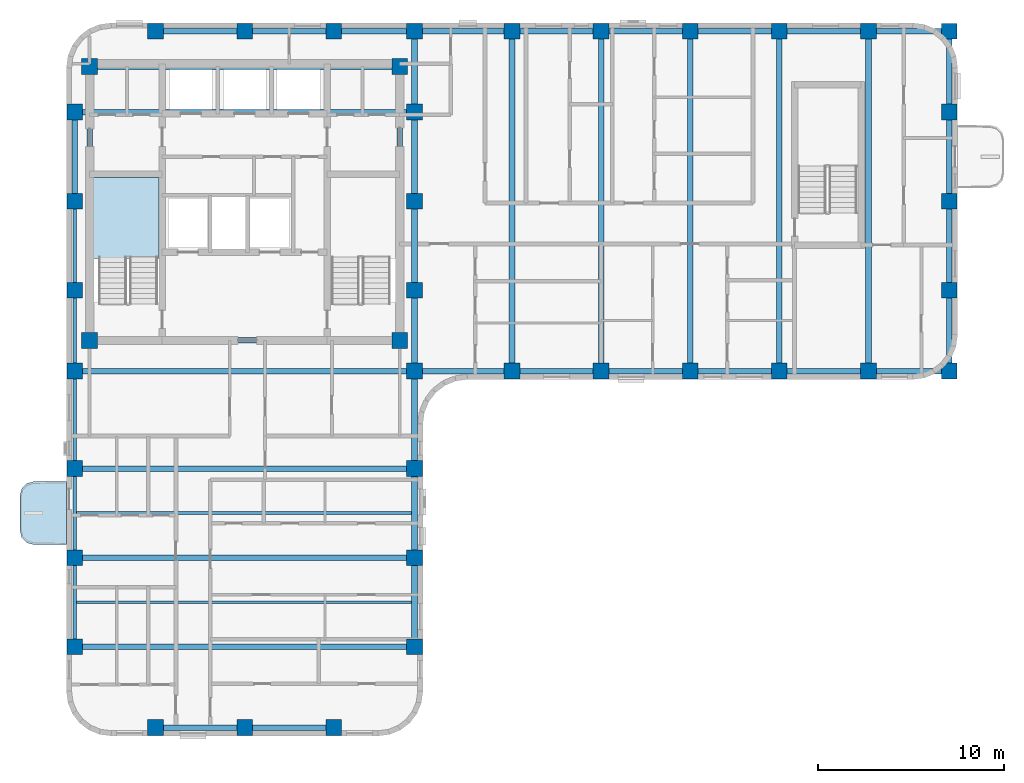
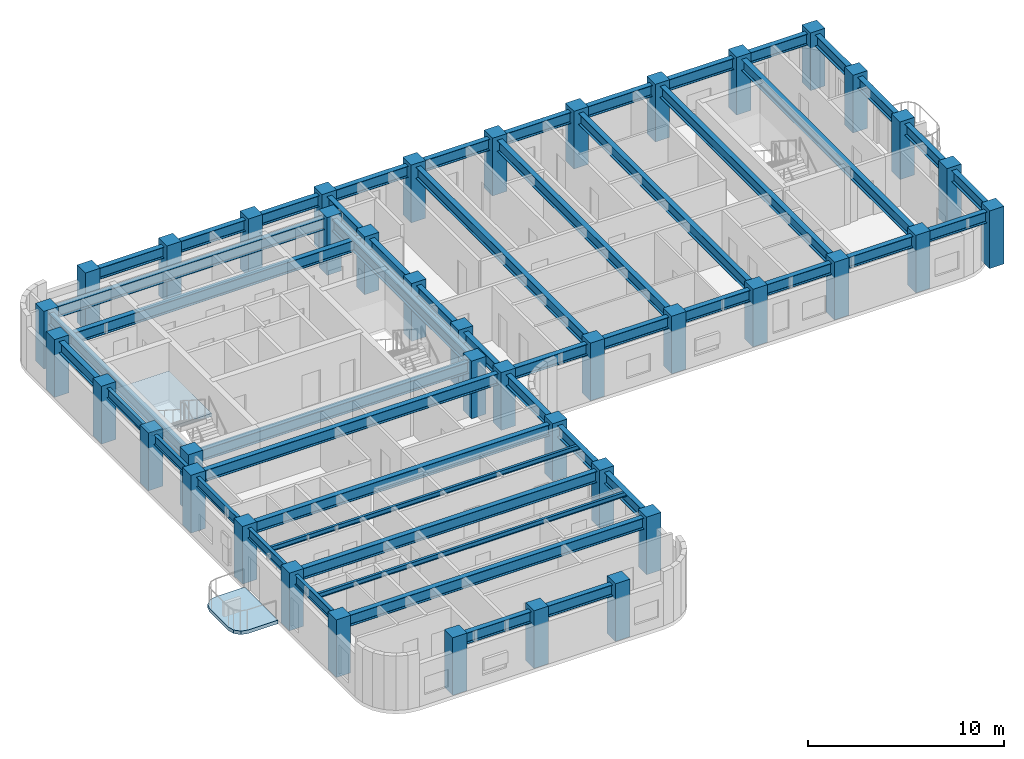
# One storey, part 1 of 10: 50 beams, 40 columns, 2 slabs, 1 element without a shape of its own.
"""IFC4 building model written with IfcOpenShell, lengths in metres."""

from ifc_helpers import new_model, si_unit, direction, frame, origin, origin_2d, place, context, subcontext, project, spatial, polyline, rectangle, i_section, outline, extrude, material, layer, layer_set, material_profile, profile_set, type_object, element, aggregate, save


model = new_model("IFC4")

# Units and contexts
model_context = context("Model", 3, precision=1e-05, world=origin(), true_north=direction((0.0, 1.0)))
body_context = subcontext(model_context, "Body", "Model", "MODEL_VIEW")
ifc_project = project(units=[si_unit("LENGTHUNIT", "METRE"), si_unit("AREAUNIT", "SQUARE_METRE"), si_unit("VOLUMEUNIT", "CUBIC_METRE"), si_unit("PLANEANGLEUNIT", "RADIAN"), si_unit("MASSUNIT", "GRAM", prefix="KILO")], contexts=[model_context])

# Site, building, storey
site_placement = place(None, origin())
site = spatial("IfcSite", under=ifc_project, at=site_placement, CompositionType="ELEMENT")
building_placement = place(site_placement, origin())
building = spatial("IfcBuilding", under=site, at=building_placement, Name="Orvandelia Arch Residences", CompositionType="ELEMENT")
storey_placement = place(building_placement, frame((0.0, 0.0, 218.199951171875)))
storey = spatial("IfcBuildingStorey", under=building, at=storey_placement, Name="L57", CompositionType="ELEMENT", Elevation=218.199951171875)

# Columns
ifc_material_1 = material(Name="Concrete C60/75", Category="concrete")
ifc_material_profile_1 = material_profile(ifc_material_1, rectangle(XDim=0.85009765625, YDim=0.85009765625, at=origin_2d()), Name="Concrete C60/75", Category="concrete")
ifc_profile_set_1 = profile_set([ifc_material_profile_1], Name="Concrete C60/75")
column_type = type_object("IfcColumnType", Name="COL-TWR-850", PredefinedType="COLUMN", material=ifc_profile_set_1)
for number, where, z_axis, x_axis, name in (
    (1, (5.25, 14.39990234375, 0.0), (0.0, 0.0, 1.0), (1.0, 0.0, 0.0), "Structural Column L57-W-W-144"),
    (2, (5.25, 19.199951171875, 0.0), (0.0, 0.0, 1.0), (1.0, 0.0, 0.0), "Structural Column L57-W-W-192"),
    (3, (5.25, 24.0, 0.0), (0.0, 0.0, 1.0), (1.0, 0.0, 0.0), "Structural Column L57-W-W-240"),
    (4, (5.25, 29.25, 0.0), (0.0, 0.0, 1.0), (1.0, 0.0, 0.0), "Structural Column L57-W-W-292"),
    (5, (5.25, 33.60009765625, 0.0), (0.0, 0.0, 1.0), (1.0, 0.0, 0.0), "Structural Column L57-W-W-336"),
    (6, (5.25, 38.39990234375, 0.0), (0.0, 0.0, 1.0), (1.0, 0.0, 0.0), "Structural Column L57-W-W-384"),
    (7, (5.25, 43.199951171875, 0.0), (0.0, 0.0, 1.0), (1.0, 0.0, 0.0), "Structural Column L57-W-W-432"),
    (8, (6.050048828125, 30.89990234375, 0.0), (0.0, 0.0, 1.0), (1.0, 0.0, 0.0), "Structural Column L57-CR-SW"),
    (9, (6.050048828125, 45.64990234375, 0.0), (0.0, 0.0, 1.0), (1.0, 0.0, 0.0), "Structural Column L57-CR-NW"),
    (10, (9.60009765625, 10.050048828125, 0.0), (0.0, 0.0, 1.0), (1.0, 0.0, 0.0), "Structural Column L57-W-S-96"),
    (11, (9.60009765625, 47.550048828125, 0.0), (0.0, 0.0, 1.0), (1.0, 0.0, 0.0), "Structural Column L57-W-N-96"),
    (12, (14.39990234375, 10.050048828125, 0.0), (0.0, 0.0, 1.0), (1.0, 0.0, 0.0), "Structural Column L57-W-S-144"),
    (13, (14.39990234375, 47.550048828125, 0.0), (0.0, 0.0, 1.0), (1.0, 0.0, 0.0), "Structural Column L57-W-N-144"),
    (14, (19.199951171875, 10.050048828125, 0.0), (0.0, 0.0, 1.0), (1.0, 0.0, 0.0), "Structural Column L57-W-S-192"),
    (15, (19.199951171875, 47.550048828125, 0.0), (0.0, 0.0, 1.0), (1.0, 0.0, 0.0), "Structural Column L57-W-N-192"),
    (16, (22.75, 30.89990234375, 0.0), (0.0, 0.0, 1.0), (1.0, 0.0, 0.0), "Structural Column L57-CR-SE"),
    (17, (22.75, 45.64990234375, 0.0), (0.0, 0.0, 1.0), (1.0, 0.0, 0.0), "Structural Column L57-CR-NE"),
    (18, (23.550048828125, 14.39990234375, 0.0), (0.0, 0.0, 1.0), (1.0, 0.0, 0.0), "Structural Column L57-W-E-144"),
    (19, (23.550048828125, 19.199951171875, 0.0), (0.0, 0.0, 1.0), (1.0, 0.0, 0.0), "Structural Column L57-W-E-192"),
    (20, (23.550048828125, 24.0, 0.0), (0.0, 0.0, 1.0), (1.0, 0.0, 0.0), "Structural Column L57-W-E-240"),
    (21, (23.550048828125, 29.25, 0.0), (0.0, 0.0, 1.0), (1.0, 0.0, 0.0), "Structural Column L57-W-E-292"),
    (22, (23.550048828125, 33.60009765625, 0.0), (0.0, 0.0, 1.0), (1.0, 0.0, 0.0), "Structural Column L57-W-E-336"),
    (23, (23.550048828125, 38.39990234375, 0.0), (0.0, 0.0, 1.0), (1.0, 0.0, 0.0), "Structural Column L57-W-E-384"),
    (24, (23.550048828125, 43.199951171875, 0.0), (0.0, 0.0, 1.0), (1.0, 0.0, 0.0), "Structural Column L57-W-E-432"),
    (25, (23.550048828125, 47.550048828125, 0.0), (0.0, 0.0, 1.0), (1.0, 0.0, 0.0), "Structural Column L57-W-N-235"),
    (26, (28.800048828125, 29.25, 0.0), (0.0, 0.0, 1.0), (1.0, 0.0, 0.0), "Structural Column L57-E-S-288"),
    (27, (28.800048828125, 47.550048828125, 0.0), (0.0, 0.0, 1.0), (1.0, 0.0, 0.0), "Structural Column L57-E-N-288"),
    (28, (33.60009765625, 29.25, 0.0), (0.0, 0.0, 1.0), (1.0, 0.0, 0.0), "Structural Column L57-E-S-336"),
    (29, (33.60009765625, 47.550048828125, 0.0), (0.0, 0.0, 1.0), (1.0, 0.0, 0.0), "Structural Column L57-E-N-336"),
    (30, (38.39990234375, 29.25, 0.0), (0.0, 0.0, 1.0), (1.0, 0.0, 0.0), "Structural Column L57-E-S-384"),
    (31, (38.39990234375, 47.550048828125, 0.0), (0.0, 0.0, 1.0), (1.0, 0.0, 0.0), "Structural Column L57-E-N-384"),
    (32, (43.199951171875, 29.25, 0.0), (0.0, 0.0, 1.0), (1.0, 0.0, 0.0), "Structural Column L57-E-S-432"),
    (33, (43.199951171875, 47.550048828125, 0.0), (0.0, 0.0, 1.0), (1.0, 0.0, 0.0), "Structural Column L57-E-N-432"),
    (34, (48.0, 29.25, 0.0), (0.0, 0.0, 1.0), (1.0, 0.0, 0.0), "Structural Column L57-E-S-480"),
    (35, (48.0, 47.550048828125, 0.0), (0.0, 0.0, 1.0), (1.0, 0.0, 0.0), "Structural Column L57-E-N-480"),
    (36, (52.35009765625, 29.25, 0.0), (0.0, 0.0, 1.0), (1.0, 0.0, 0.0), "Structural Column L57-E-S-523"),
    (37, (52.35009765625, 33.60009765625, 0.0), (0.0, 0.0, 1.0), (1.0, 0.0, 0.0), "Structural Column L57-E-523-336"),
    (38, (52.35009765625, 38.39990234375, 0.0), (0.0, 0.0, 1.0), (1.0, 0.0, 0.0), "Structural Column L57-E-523-384"),
    (39, (52.35009765625, 43.199951171875, 0.0), (0.0, 0.0, 1.0), (1.0, 0.0, 0.0), "Structural Column L57-E-523-432"),
    (40, (52.35009765625, 47.550048828125, 0.0), (0.0, 0.0, 1.0), (1.0, 0.0, 0.0), "Structural Column L57-E-N-523"),
):
    element("IfcColumn", number, at=place(storey_placement, frame(where, z_axis=z_axis, x_axis=x_axis)), inside=storey, type_object=column_type, Name=name, PredefinedType="COLUMN", context=body_context, shape_type="SweptSolid", body=[
        extrude(rectangle(XDim=0.85009765625, YDim=0.85009765625, at=origin_2d()), origin(), (0.0, 0.0, 1.0), 3.60009765625),
    ])

# Beams
ifc_material_2 = material(Name="Structural Steel SM355 (355 MPa)", Category="steel")
ifc_material_profile_2 = material_profile(ifc_material_2, i_section(OverallWidth=0.300048828125, OverallDepth=0.699951171875, WebThickness=0.012939453125, FlangeThickness=0.02392578125, FilletRadius=0.02392578125, at=origin_2d()), Name="Structural Steel SM355 (355 MPa)", Category="steel")
ifc_profile_set_2 = profile_set([ifc_material_profile_2], Name="Structural Steel SM355 (355 MPa)")
beam_type_1 = type_object("IfcBeamType", Name="BM-GRD-H700", PredefinedType="BEAM", material=ifc_profile_set_2)
beam_1_placement = place(storey_placement, frame((5.25, 38.39990234375, 3.030029296875), z_axis=(0.0, 1.0, 0.0), x_axis=(-1.0, 0.0, 0.0)))
element("IfcBeam", 41, at=beam_1_placement, inside=storey, type_object=beam_type_1, Name="Structural Frame Beam L57-NS-006", PredefinedType="BEAM", context=body_context, shape_type="SweptSolid", body=[
    extrude(i_section(OverallWidth=0.300048828125, OverallDepth=0.699951171875, WebThickness=0.012939453125, FlangeThickness=0.02392578125, FilletRadius=0.02392578125, at=origin_2d()), origin(), (0.0, 0.0, 1.0), 4.800048828125),
])
for number, where, z_axis, x_axis, name in (
    (42, (6.050048828125, 30.89990234375, 3.030029296875), (0.0, 1.0, 0.0), (-1.0, 0.0, 0.0), "Structural Frame Beam L57-NS-007"),
    (43, (22.75, 30.89990234375, 3.030029296875), (0.0, 1.0, 0.0), (-1.0, 0.0, 0.0), "Structural Frame Beam L57-NS-008"),
):
    element("IfcBeam", number, at=place(storey_placement, frame(where, z_axis=z_axis, x_axis=x_axis)), inside=storey, type_object=beam_type_1, Name=name, PredefinedType="BEAM", context=body_context, shape_type="SweptSolid", body=[
        extrude(i_section(OverallWidth=0.300048828125, OverallDepth=0.699951171875, WebThickness=0.012939453125, FlangeThickness=0.02392578125, FilletRadius=0.02392578125, at=origin_2d()), origin(), (0.0, 0.0, 1.0), 14.75),
    ])
for number, where, z_axis, x_axis, name in (
    (44, (23.550048828125, 14.39990234375, 3.030029296875), (0.0, 1.0, 0.0), (-1.0, 0.0, 0.0), "Structural Frame Beam L57-NS-009"),
    (45, (23.550048828125, 19.199951171875, 3.030029296875), (0.0, 1.0, 0.0), (-1.0, 0.0, 0.0), "Structural Frame Beam L57-NS-010"),
):
    element("IfcBeam", number, at=place(storey_placement, frame(where, z_axis=z_axis, x_axis=x_axis)), inside=storey, type_object=beam_type_1, Name=name, PredefinedType="BEAM", context=body_context, shape_type="SweptSolid", body=[
        extrude(i_section(OverallWidth=0.300048828125, OverallDepth=0.699951171875, WebThickness=0.012939453125, FlangeThickness=0.02392578125, FilletRadius=0.02392578125, at=origin_2d()), origin(), (0.0, 0.0, 1.0), 4.800048828125),
    ])
beam_2_placement = place(storey_placement, frame((23.550048828125, 24.0, 3.030029296875), z_axis=(0.0, 1.0, 0.0), x_axis=(-1.0, 0.0, 0.0)))
element("IfcBeam", 46, at=beam_2_placement, inside=storey, type_object=beam_type_1, Name="Structural Frame Beam L57-NS-011", PredefinedType="BEAM", context=body_context, shape_type="SweptSolid", body=[
    extrude(i_section(OverallWidth=0.300048828125, OverallDepth=0.699951171875, WebThickness=0.012939453125, FlangeThickness=0.02392578125, FilletRadius=0.02392578125, at=origin_2d()), origin(), (0.0, 0.0, 1.0), 5.25),
])
beam_3_placement = place(storey_placement, frame((23.550048828125, 29.25, 3.030029296875), z_axis=(0.0, 1.0, 0.0), x_axis=(-1.0, 0.0, 0.0)))
element("IfcBeam", 47, at=beam_3_placement, inside=storey, type_object=beam_type_1, Name="Structural Frame Beam L57-NS-012", PredefinedType="BEAM", context=body_context, shape_type="SweptSolid", body=[
    extrude(i_section(OverallWidth=0.300048828125, OverallDepth=0.699951171875, WebThickness=0.012939453125, FlangeThickness=0.02392578125, FilletRadius=0.02392578125, at=origin_2d()), origin(), (0.0, 0.0, 1.0), 4.35009765625),
])
beam_4_placement = place(storey_placement, frame((23.550048828125, 33.60009765625, 3.030029296875), z_axis=(0.0, 1.0, 0.0), x_axis=(-1.0, 0.0, 0.0)))
element("IfcBeam", 48, at=beam_4_placement, inside=storey, type_object=beam_type_1, Name="Structural Frame Beam L57-NS-013", PredefinedType="BEAM", context=body_context, shape_type="SweptSolid", body=[
    extrude(i_section(OverallWidth=0.300048828125, OverallDepth=0.699951171875, WebThickness=0.012939453125, FlangeThickness=0.02392578125, FilletRadius=0.02392578125, at=origin_2d()), origin(), (0.0, 0.0, 1.0), 4.7998046875),
])
beam_5_placement = place(storey_placement, frame((23.550048828125, 38.39990234375, 3.030029296875), z_axis=(0.0, 1.0, 0.0), x_axis=(-1.0, 0.0, 0.0)))
element("IfcBeam", 49, at=beam_5_placement, inside=storey, type_object=beam_type_1, Name="Structural Frame Beam L57-NS-014", PredefinedType="BEAM", context=body_context, shape_type="SweptSolid", body=[
    extrude(i_section(OverallWidth=0.300048828125, OverallDepth=0.699951171875, WebThickness=0.012939453125, FlangeThickness=0.02392578125, FilletRadius=0.02392578125, at=origin_2d()), origin(), (0.0, 0.0, 1.0), 4.800048828125),
])
beam_6_placement = place(storey_placement, frame((23.550048828125, 43.199951171875, 3.030029296875), z_axis=(0.0, 1.0, 0.0), x_axis=(-1.0, 0.0, 0.0)))
element("IfcBeam", 50, at=beam_6_placement, inside=storey, type_object=beam_type_1, Name="Structural Frame Beam L57-NS-015", PredefinedType="BEAM", context=body_context, shape_type="SweptSolid", body=[
    extrude(i_section(OverallWidth=0.300048828125, OverallDepth=0.699951171875, WebThickness=0.012939453125, FlangeThickness=0.02392578125, FilletRadius=0.02392578125, at=origin_2d()), origin(), (0.0, 0.0, 1.0), 4.35009765625),
])
for number, where, z_axis, x_axis, name in (
    (51, (28.800048828125, 29.25, 3.030029296875), (0.0, 1.0, 0.0), (-1.0, 0.0, 0.0), "Structural Frame Beam L57-NS-016"),
    (52, (33.60009765625, 29.25, 3.030029296875), (0.0, 1.0, 0.0), (-1.0, 0.0, 0.0), "Structural Frame Beam L57-NS-017"),
    (53, (38.39990234375, 29.25, 3.030029296875), (0.0, 1.0, 0.0), (-1.0, 0.0, 0.0), "Structural Frame Beam L57-NS-018"),
    (54, (43.199951171875, 29.25, 3.030029296875), (0.0, 1.0, 0.0), (-1.0, 0.0, 0.0), "Structural Frame Beam L57-NS-019"),
    (55, (48.0, 29.25, 3.030029296875), (0.0, 1.0, 0.0), (-1.0, 0.0, 0.0), "Structural Frame Beam L57-NS-020"),
):
    element("IfcBeam", number, at=place(storey_placement, frame(where, z_axis=z_axis, x_axis=x_axis)), inside=storey, type_object=beam_type_1, Name=name, PredefinedType="BEAM", context=body_context, shape_type="SweptSolid", body=[
        extrude(i_section(OverallWidth=0.300048828125, OverallDepth=0.699951171875, WebThickness=0.012939453125, FlangeThickness=0.02392578125, FilletRadius=0.02392578125, at=origin_2d()), origin(), (0.0, 0.0, 1.0), 18.300048828125),
    ])
beam_7_placement = place(storey_placement, frame((52.35009765625, 29.25, 3.030029296875), z_axis=(0.0, 1.0, 0.0), x_axis=(-1.0, 0.0, 0.0)))
element("IfcBeam", 56, at=beam_7_placement, inside=storey, type_object=beam_type_1, Name="Structural Frame Beam L57-NS-021", PredefinedType="BEAM", context=body_context, shape_type="SweptSolid", body=[
    extrude(i_section(OverallWidth=0.300048828125, OverallDepth=0.699951171875, WebThickness=0.012939453125, FlangeThickness=0.02392578125, FilletRadius=0.02392578125, at=origin_2d()), origin(), (0.0, 0.0, 1.0), 4.35009765625),
])
beam_8_placement = place(storey_placement, frame((52.35009765625, 33.60009765625, 3.030029296875), z_axis=(0.0, 1.0, 0.0), x_axis=(-1.0, 0.0, 0.0)))
element("IfcBeam", 57, at=beam_8_placement, inside=storey, type_object=beam_type_1, Name="Structural Frame Beam L57-NS-022", PredefinedType="BEAM", context=body_context, shape_type="SweptSolid", body=[
    extrude(i_section(OverallWidth=0.300048828125, OverallDepth=0.699951171875, WebThickness=0.012939453125, FlangeThickness=0.02392578125, FilletRadius=0.02392578125, at=origin_2d()), origin(), (0.0, 0.0, 1.0), 4.7998046875),
])
beam_9_placement = place(storey_placement, frame((52.35009765625, 38.39990234375, 3.030029296875), z_axis=(0.0, 1.0, 0.0), x_axis=(-1.0, 0.0, 0.0)))
element("IfcBeam", 58, at=beam_9_placement, inside=storey, type_object=beam_type_1, Name="Structural Frame Beam L57-NS-023", PredefinedType="BEAM", context=body_context, shape_type="SweptSolid", body=[
    extrude(i_section(OverallWidth=0.300048828125, OverallDepth=0.699951171875, WebThickness=0.012939453125, FlangeThickness=0.02392578125, FilletRadius=0.02392578125, at=origin_2d()), origin(), (0.0, 0.0, 1.0), 4.800048828125),
])
beam_10_placement = place(storey_placement, frame((52.35009765625, 43.199951171875, 3.030029296875), z_axis=(0.0, 1.0, 0.0), x_axis=(-1.0, 0.0, 0.0)))
element("IfcBeam", 59, at=beam_10_placement, inside=storey, type_object=beam_type_1, Name="Structural Frame Beam L57-NS-024", PredefinedType="BEAM", context=body_context, shape_type="SweptSolid", body=[
    extrude(i_section(OverallWidth=0.300048828125, OverallDepth=0.699951171875, WebThickness=0.012939453125, FlangeThickness=0.02392578125, FilletRadius=0.02392578125, at=origin_2d()), origin(), (0.0, 0.0, 1.0), 4.35009765625),
])
beam_11_placement = place(storey_placement, frame((9.60009765625, 10.050048828125, 3.030029296875), z_axis=(1.0, 0.0, 0.0), x_axis=(0.0, 1.0, 0.0)))
element("IfcBeam", 60, at=beam_11_placement, inside=storey, type_object=beam_type_1, Name="Structural Frame Girder L57-EW-025", PredefinedType="BEAM", context=body_context, shape_type="SweptSolid", body=[
    extrude(i_section(OverallWidth=0.300048828125, OverallDepth=0.699951171875, WebThickness=0.012939453125, FlangeThickness=0.02392578125, FilletRadius=0.02392578125, at=origin_2d()), origin(), (0.0, 0.0, 1.0), 4.7998046875),
])
beam_12_placement = place(storey_placement, frame((14.39990234375, 10.050048828125, 3.030029296875), z_axis=(1.0, 0.0, 0.0), x_axis=(0.0, 1.0, 0.0)))
element("IfcBeam", 61, at=beam_12_placement, inside=storey, type_object=beam_type_1, Name="Structural Frame Girder L57-EW-026", PredefinedType="BEAM", context=body_context, shape_type="SweptSolid", body=[
    extrude(i_section(OverallWidth=0.300048828125, OverallDepth=0.699951171875, WebThickness=0.012939453125, FlangeThickness=0.02392578125, FilletRadius=0.02392578125, at=origin_2d()), origin(), (0.0, 0.0, 1.0), 4.800048828125),
])
for number, where, z_axis, x_axis, name in (
    (62, (5.25, 14.39990234375, 3.030029296875), (1.0, 0.0, 0.0), (0.0, 1.0, 0.0), "Structural Frame Girder L57-EW-027"),
    (63, (5.25, 19.199951171875, 3.030029296875), (1.0, 0.0, 0.0), (0.0, 1.0, 0.0), "Structural Frame Girder L57-EW-028"),
    (64, (5.25, 24.0, 3.030029296875), (1.0, 0.0, 0.0), (0.0, 1.0, 0.0), "Structural Frame Girder L57-EW-029"),
    (65, (5.25, 29.25, 3.030029296875), (1.0, 0.0, 0.0), (0.0, 1.0, 0.0), "Structural Frame Girder L57-EW-030"),
):
    element("IfcBeam", number, at=place(storey_placement, frame(where, z_axis=z_axis, x_axis=x_axis)), inside=storey, type_object=beam_type_1, Name=name, PredefinedType="BEAM", context=body_context, shape_type="SweptSolid", body=[
        extrude(i_section(OverallWidth=0.300048828125, OverallDepth=0.699951171875, WebThickness=0.012939453125, FlangeThickness=0.02392578125, FilletRadius=0.02392578125, at=origin_2d()), origin(), (0.0, 0.0, 1.0), 18.300048828125),
    ])
beam_13_placement = place(storey_placement, frame((23.550048828125, 29.25, 3.030029296875), z_axis=(1.0, 0.0, 0.0), x_axis=(0.0, 1.0, 0.0)))
element("IfcBeam", 66, at=beam_13_placement, inside=storey, type_object=beam_type_1, Name="Structural Frame Girder L57-EW-031", PredefinedType="BEAM", context=body_context, shape_type="SweptSolid", body=[
    extrude(i_section(OverallWidth=0.300048828125, OverallDepth=0.699951171875, WebThickness=0.012939453125, FlangeThickness=0.02392578125, FilletRadius=0.02392578125, at=origin_2d()), origin(), (0.0, 0.0, 1.0), 5.25),
])
beam_14_placement = place(storey_placement, frame((28.800048828125, 29.25, 3.030029296875), z_axis=(1.0, 0.0, 0.0), x_axis=(0.0, 1.0, 0.0)))
element("IfcBeam", 67, at=beam_14_placement, inside=storey, type_object=beam_type_1, Name="Structural Frame Girder L57-EW-032", PredefinedType="BEAM", context=body_context, shape_type="SweptSolid", body=[
    extrude(i_section(OverallWidth=0.300048828125, OverallDepth=0.699951171875, WebThickness=0.012939453125, FlangeThickness=0.02392578125, FilletRadius=0.02392578125, at=origin_2d()), origin(), (0.0, 0.0, 1.0), 4.800048828125),
])
beam_15_placement = place(storey_placement, frame((33.60009765625, 29.25, 3.030029296875), z_axis=(1.0, 0.0, 0.0), x_axis=(0.0, 1.0, 0.0)))
element("IfcBeam", 68, at=beam_15_placement, inside=storey, type_object=beam_type_1, Name="Structural Frame Girder L57-EW-033", PredefinedType="BEAM", context=body_context, shape_type="SweptSolid", body=[
    extrude(i_section(OverallWidth=0.300048828125, OverallDepth=0.699951171875, WebThickness=0.012939453125, FlangeThickness=0.02392578125, FilletRadius=0.02392578125, at=origin_2d()), origin(), (0.0, 0.0, 1.0), 4.7998046875),
])
for number, where, z_axis, x_axis, name in (
    (69, (38.39990234375, 29.25, 3.030029296875), (1.0, 0.0, 0.0), (0.0, 1.0, 0.0), "Structural Frame Girder L57-EW-034"),
    (70, (43.199951171875, 29.25, 3.030029296875), (1.0, 0.0, 0.0), (0.0, 1.0, 0.0), "Structural Frame Girder L57-EW-035"),
):
    element("IfcBeam", number, at=place(storey_placement, frame(where, z_axis=z_axis, x_axis=x_axis)), inside=storey, type_object=beam_type_1, Name=name, PredefinedType="BEAM", context=body_context, shape_type="SweptSolid", body=[
        extrude(i_section(OverallWidth=0.300048828125, OverallDepth=0.699951171875, WebThickness=0.012939453125, FlangeThickness=0.02392578125, FilletRadius=0.02392578125, at=origin_2d()), origin(), (0.0, 0.0, 1.0), 4.800048828125),
    ])
beam_16_placement = place(storey_placement, frame((48.0, 29.25, 3.030029296875), z_axis=(1.0, 0.0, 0.0), x_axis=(0.0, 1.0, 0.0)))
element("IfcBeam", 71, at=beam_16_placement, inside=storey, type_object=beam_type_1, Name="Structural Frame Girder L57-EW-036", PredefinedType="BEAM", context=body_context, shape_type="SweptSolid", body=[
    extrude(i_section(OverallWidth=0.300048828125, OverallDepth=0.699951171875, WebThickness=0.012939453125, FlangeThickness=0.02392578125, FilletRadius=0.02392578125, at=origin_2d()), origin(), (0.0, 0.0, 1.0), 4.35009765625),
])
beam_17_placement = place(storey_placement, frame((6.050048828125, 30.89990234375, 3.030029296875), z_axis=(1.0, 0.0, 0.0), x_axis=(0.0, 1.0, 0.0)))
element("IfcBeam", 72, at=beam_17_placement, inside=storey, type_object=beam_type_1, Name="Structural Frame Girder L57-EW-037", PredefinedType="BEAM", context=body_context, shape_type="SweptSolid", body=[
    extrude(i_section(OverallWidth=0.300048828125, OverallDepth=0.699951171875, WebThickness=0.012939453125, FlangeThickness=0.02392578125, FilletRadius=0.02392578125, at=origin_2d()), origin(), (0.0, 0.0, 1.0), 16.699951171875),
])
beam_18_placement = place(storey_placement, frame((5.25, 43.199951171875, 3.030029296875), z_axis=(1.0, 0.0, 0.0), x_axis=(0.0, 1.0, 0.0)))
element("IfcBeam", 73, at=beam_18_placement, inside=storey, type_object=beam_type_1, Name="Structural Frame Girder L57-EW-040", PredefinedType="BEAM", context=body_context, shape_type="SweptSolid", body=[
    extrude(i_section(OverallWidth=0.300048828125, OverallDepth=0.699951171875, WebThickness=0.012939453125, FlangeThickness=0.02392578125, FilletRadius=0.02392578125, at=origin_2d()), origin(), (0.0, 0.0, 1.0), 18.300048828125),
])
beam_19_placement = place(storey_placement, frame((6.050048828125, 45.64990234375, 3.030029296875), z_axis=(1.0, 0.0, 0.0), x_axis=(0.0, 1.0, 0.0)))
element("IfcBeam", 74, at=beam_19_placement, inside=storey, type_object=beam_type_1, Name="Structural Frame Girder L57-EW-041", PredefinedType="BEAM", context=body_context, shape_type="SweptSolid", body=[
    extrude(i_section(OverallWidth=0.300048828125, OverallDepth=0.699951171875, WebThickness=0.012939453125, FlangeThickness=0.02392578125, FilletRadius=0.02392578125, at=origin_2d()), origin(), (0.0, 0.0, 1.0), 16.699951171875),
])
beam_20_placement = place(storey_placement, frame((9.60009765625, 47.550048828125, 3.030029296875), z_axis=(1.0, 0.0, 0.0), x_axis=(0.0, 1.0, 0.0)))
element("IfcBeam", 75, at=beam_20_placement, inside=storey, type_object=beam_type_1, Name="Structural Frame Girder L57-EW-042", PredefinedType="BEAM", context=body_context, shape_type="SweptSolid", body=[
    extrude(i_section(OverallWidth=0.300048828125, OverallDepth=0.699951171875, WebThickness=0.012939453125, FlangeThickness=0.02392578125, FilletRadius=0.02392578125, at=origin_2d()), origin(), (0.0, 0.0, 1.0), 4.7998046875),
])
beam_21_placement = place(storey_placement, frame((14.39990234375, 47.550048828125, 3.030029296875), z_axis=(1.0, 0.0, 0.0), x_axis=(0.0, 1.0, 0.0)))
element("IfcBeam", 76, at=beam_21_placement, inside=storey, type_object=beam_type_1, Name="Structural Frame Girder L57-EW-043", PredefinedType="BEAM", context=body_context, shape_type="SweptSolid", body=[
    extrude(i_section(OverallWidth=0.300048828125, OverallDepth=0.699951171875, WebThickness=0.012939453125, FlangeThickness=0.02392578125, FilletRadius=0.02392578125, at=origin_2d()), origin(), (0.0, 0.0, 1.0), 4.800048828125),
])
beam_22_placement = place(storey_placement, frame((19.199951171875, 47.550048828125, 3.030029296875), z_axis=(1.0, 0.0, 0.0), x_axis=(0.0, 1.0, 0.0)))
element("IfcBeam", 77, at=beam_22_placement, inside=storey, type_object=beam_type_1, Name="Structural Frame Girder L57-EW-044", PredefinedType="BEAM", context=body_context, shape_type="SweptSolid", body=[
    extrude(i_section(OverallWidth=0.300048828125, OverallDepth=0.699951171875, WebThickness=0.012939453125, FlangeThickness=0.02392578125, FilletRadius=0.02392578125, at=origin_2d()), origin(), (0.0, 0.0, 1.0), 4.35009765625),
])
beam_23_placement = place(storey_placement, frame((23.550048828125, 47.550048828125, 3.030029296875), z_axis=(1.0, 0.0, 0.0), x_axis=(0.0, 1.0, 0.0)))
element("IfcBeam", 78, at=beam_23_placement, inside=storey, type_object=beam_type_1, Name="Structural Frame Girder L57-EW-045", PredefinedType="BEAM", context=body_context, shape_type="SweptSolid", body=[
    extrude(i_section(OverallWidth=0.300048828125, OverallDepth=0.699951171875, WebThickness=0.012939453125, FlangeThickness=0.02392578125, FilletRadius=0.02392578125, at=origin_2d()), origin(), (0.0, 0.0, 1.0), 5.25),
])
beam_24_placement = place(storey_placement, frame((28.800048828125, 47.550048828125, 3.030029296875), z_axis=(1.0, 0.0, 0.0), x_axis=(0.0, 1.0, 0.0)))
element("IfcBeam", 79, at=beam_24_placement, inside=storey, type_object=beam_type_1, Name="Structural Frame Girder L57-EW-046", PredefinedType="BEAM", context=body_context, shape_type="SweptSolid", body=[
    extrude(i_section(OverallWidth=0.300048828125, OverallDepth=0.699951171875, WebThickness=0.012939453125, FlangeThickness=0.02392578125, FilletRadius=0.02392578125, at=origin_2d()), origin(), (0.0, 0.0, 1.0), 4.800048828125),
])
beam_25_placement = place(storey_placement, frame((33.60009765625, 47.550048828125, 3.030029296875), z_axis=(1.0, 0.0, 0.0), x_axis=(0.0, 1.0, 0.0)))
element("IfcBeam", 80, at=beam_25_placement, inside=storey, type_object=beam_type_1, Name="Structural Frame Girder L57-EW-047", PredefinedType="BEAM", context=body_context, shape_type="SweptSolid", body=[
    extrude(i_section(OverallWidth=0.300048828125, OverallDepth=0.699951171875, WebThickness=0.012939453125, FlangeThickness=0.02392578125, FilletRadius=0.02392578125, at=origin_2d()), origin(), (0.0, 0.0, 1.0), 4.7998046875),
])
for number, where, z_axis, x_axis, name in (
    (81, (38.39990234375, 47.550048828125, 3.030029296875), (1.0, 0.0, 0.0), (0.0, 1.0, 0.0), "Structural Frame Girder L57-EW-048"),
    (82, (43.199951171875, 47.550048828125, 3.030029296875), (1.0, 0.0, 0.0), (0.0, 1.0, 0.0), "Structural Frame Girder L57-EW-049"),
):
    element("IfcBeam", number, at=place(storey_placement, frame(where, z_axis=z_axis, x_axis=x_axis)), inside=storey, type_object=beam_type_1, Name=name, PredefinedType="BEAM", context=body_context, shape_type="SweptSolid", body=[
        extrude(i_section(OverallWidth=0.300048828125, OverallDepth=0.699951171875, WebThickness=0.012939453125, FlangeThickness=0.02392578125, FilletRadius=0.02392578125, at=origin_2d()), origin(), (0.0, 0.0, 1.0), 4.800048828125),
    ])
beam_26_placement = place(storey_placement, frame((48.0, 47.550048828125, 3.030029296875), z_axis=(1.0, 0.0, 0.0), x_axis=(0.0, 1.0, 0.0)))
element("IfcBeam", 83, at=beam_26_placement, inside=storey, type_object=beam_type_1, Name="Structural Frame Girder L57-EW-050", PredefinedType="BEAM", context=body_context, shape_type="SweptSolid", body=[
    extrude(i_section(OverallWidth=0.300048828125, OverallDepth=0.699951171875, WebThickness=0.012939453125, FlangeThickness=0.02392578125, FilletRadius=0.02392578125, at=origin_2d()), origin(), (0.0, 0.0, 1.0), 4.35009765625),
])
ifc_material_profile_3 = material_profile(ifc_material_2, i_section(OverallWidth=0.14990234375, OverallDepth=0.300048828125, WebThickness=0.006591796875, FlangeThickness=0.009033203125, FilletRadius=0.012939453125, at=origin_2d()), Name="Structural Steel SM355 (355 MPa)", Category="steel")
ifc_profile_set_3 = profile_set([ifc_material_profile_3], Name="Structural Steel SM355 (355 MPa)")
beam_type_2 = type_object("IfcBeamType", Name="BM-JST-H300", PredefinedType="JOIST", material=ifc_profile_set_3)
for number, where, z_axis, x_axis, name in (
    (84, (5.25, 16.800048828125, 3.22998046875), (1.0, 0.0, 0.0), (0.0, 1.0, 0.0), "Composite Floor Joist L57-J1"),
    (85, (5.25, 21.60009765625, 3.22998046875), (1.0, 0.0, 0.0), (0.0, 1.0, 0.0), "Composite Floor Joist L57-J2"),
):
    element("IfcBeam", number, at=place(storey_placement, frame(where, z_axis=z_axis, x_axis=x_axis)), inside=storey, type_object=beam_type_2, Name=name, PredefinedType="JOIST", context=body_context, shape_type="SweptSolid", body=[
        extrude(i_section(OverallWidth=0.14990234375, OverallDepth=0.300048828125, WebThickness=0.006591796875, FlangeThickness=0.009033203125, FilletRadius=0.012939453125, at=origin_2d()), origin(), (0.0, 0.0, 1.0), 18.300048828125),
    ])
ifc_material_profile_4 = material_profile(ifc_material_2, i_section(OverallWidth=0.199951171875, OverallDepth=0.60009765625, WebThickness=0.010986328125, FlangeThickness=0.01708984375, FilletRadius=0.02197265625, at=origin_2d()), Name="Structural Steel SM355 (355 MPa)", Category="steel")
ifc_profile_set_4 = profile_set([ifc_material_profile_4], Name="Structural Steel SM355 (355 MPa)")
beam_type_3 = type_object("IfcBeamType", Name="BM-SPN-H600", PredefinedType="SPANDREL", material=ifc_profile_set_4)
for number, where, z_axis, x_axis, name in (
    (86, (5.25, 14.39990234375, 3.080078125), (0.0, 1.0, 0.0), (-1.0, 0.0, 0.0), "Structural Frame Beam L57-NS-001"),
    (87, (5.25, 19.199951171875, 3.080078125), (0.0, 1.0, 0.0), (-1.0, 0.0, 0.0), "Structural Frame Beam L57-NS-002"),
):
    element("IfcBeam", number, at=place(storey_placement, frame(where, z_axis=z_axis, x_axis=x_axis)), inside=storey, type_object=beam_type_3, Name=name, PredefinedType="SPANDREL", context=body_context, shape_type="SweptSolid", body=[
        extrude(i_section(OverallWidth=0.199951171875, OverallDepth=0.60009765625, WebThickness=0.010986328125, FlangeThickness=0.01708984375, FilletRadius=0.02197265625, at=origin_2d()), origin(), (0.0, 0.0, 1.0), 4.800048828125),
    ])
beam_27_placement = place(storey_placement, frame((5.25, 24.0, 3.080078125), z_axis=(0.0, 1.0, 0.0), x_axis=(-1.0, 0.0, 0.0)))
element("IfcBeam", 88, at=beam_27_placement, inside=storey, type_object=beam_type_3, Name="Structural Frame Beam L57-NS-003", PredefinedType="SPANDREL", context=body_context, shape_type="SweptSolid", body=[
    extrude(i_section(OverallWidth=0.199951171875, OverallDepth=0.60009765625, WebThickness=0.010986328125, FlangeThickness=0.01708984375, FilletRadius=0.02197265625, at=origin_2d()), origin(), (0.0, 0.0, 1.0), 5.25),
])
beam_28_placement = place(storey_placement, frame((5.25, 29.25, 3.080078125), z_axis=(0.0, 1.0, 0.0), x_axis=(-1.0, 0.0, 0.0)))
element("IfcBeam", 89, at=beam_28_placement, inside=storey, type_object=beam_type_3, Name="Structural Frame Beam L57-NS-004", PredefinedType="SPANDREL", context=body_context, shape_type="SweptSolid", body=[
    extrude(i_section(OverallWidth=0.199951171875, OverallDepth=0.60009765625, WebThickness=0.010986328125, FlangeThickness=0.01708984375, FilletRadius=0.02197265625, at=origin_2d()), origin(), (0.0, 0.0, 1.0), 4.35009765625),
])
beam_29_placement = place(storey_placement, frame((5.25, 33.60009765625, 3.080078125), z_axis=(0.0, 1.0, 0.0), x_axis=(-1.0, 0.0, 0.0)))
element("IfcBeam", 90, at=beam_29_placement, inside=storey, type_object=beam_type_3, Name="Structural Frame Beam L57-NS-005", PredefinedType="SPANDREL", context=body_context, shape_type="SweptSolid", body=[
    extrude(i_section(OverallWidth=0.199951171875, OverallDepth=0.60009765625, WebThickness=0.010986328125, FlangeThickness=0.01708984375, FilletRadius=0.02197265625, at=origin_2d()), origin(), (0.0, 0.0, 1.0), 4.7998046875),
])

# Slab
ifc_material_3 = material(Name="Precast concrete C40/50", Category="concrete")
ifc_layer_1 = layer(ifc_material_3, 0.219970703125, Name="Precast concrete C40/50", Category="concrete")
ifc_layer_set_1 = layer_set([ifc_layer_1], Name="Precast concrete C40/50")
slab_type_1 = type_object("IfcSlabType", Name="SLB-BAL-220", PredefinedType="USERDEFINED", material=ifc_layer_set_1)
slab_1_placement = place(storey_placement, frame((0.0, 0.0, -0.219970703125)))
element("IfcSlab", 91, at=slab_1_placement, inside=storey, type_object=slab_type_1, Name="Tree Balcony Cantilever Slab BAL-L57-W1", ObjectType="BALCONY", PredefinedType="USERDEFINED", context=body_context, shape_type="SweptSolid", body=[
    extrude(outline(polyline([(4.800048828125, 19.89990234375), (4.800048828125, 23.300048828125), (3.050048828125, 23.300048828125), (2.675048828125, 23.199462890625), (2.400390625, 22.925048828125), (2.300048828125, 22.550048828125), (2.300048828125, 20.64990234375), (2.400390625, 20.27490234375), (2.675048828125, 20.00048828125), (3.050048828125, 19.89990234375), (4.800048828125, 19.89990234375)])), origin(), (0.0, 0.0, 1.0), 0.219970703125),
])

# Stair, slab
ifc_material_4 = material(Name="Concrete C40/50", Category="concrete")
stair_type = type_object("IfcStairType", Name="STAIR-RC-DOGLEG", PredefinedType="HALF_TURN_STAIR", material=ifc_material_4)
stair_placement = place(storey_placement, origin())
stair = element("IfcStair", 92, at=stair_placement, inside=storey, type_object=stair_type, Name="L57 Protected Exit Stair ST-1", PredefinedType="HALF_TURN_STAIR")
ifc_layer_2 = layer(ifc_material_4, 0.219970703125, Name="Concrete C40/50", Category="concrete")
ifc_layer_set_2 = layer_set([ifc_layer_2], Name="Concrete C40/50")
slab_type_2 = type_object("IfcSlabType", Name="SLB-LANDING-220", PredefinedType="LANDING", material=ifc_layer_set_2)
slab_2_placement = place(storey_placement, frame((0.0, 0.0, 1.60009765625)))
slab_2 = element("IfcSlab", 93, at=slab_2_placement, type_object=slab_type_2, Name="ST-1 landing 1", PredefinedType="LANDING", context=body_context, shape_type="SweptSolid", body=[
    extrude(outline(polyline([(9.800048828125, 35.31005859375), (9.800048828125, 39.68994140625), (6.260009765625, 39.68994140625), (6.260009765625, 35.31005859375), (9.800048828125, 35.31005859375)])), origin(), (0.0, 0.0, 1.0), 0.199951171875),
])
aggregate(stair, [slab_2])

save(model, "model.ifc")
